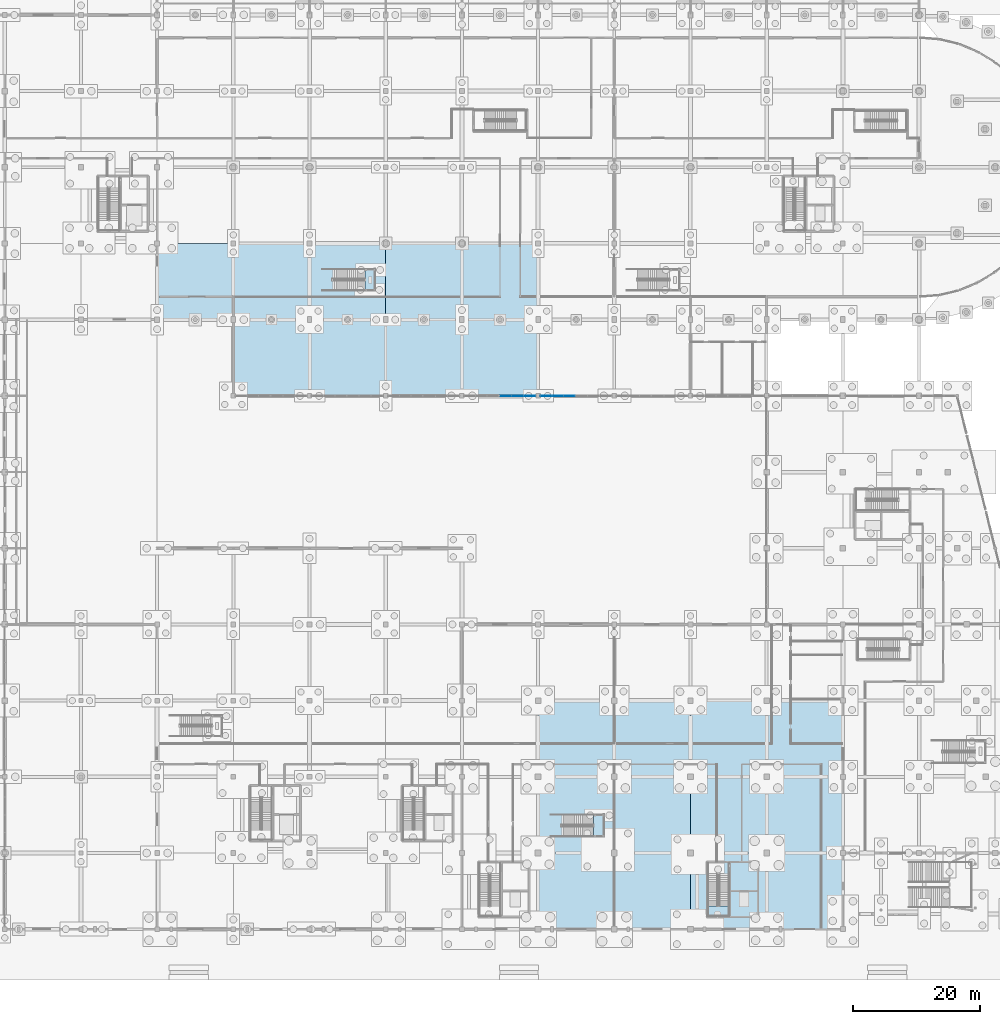
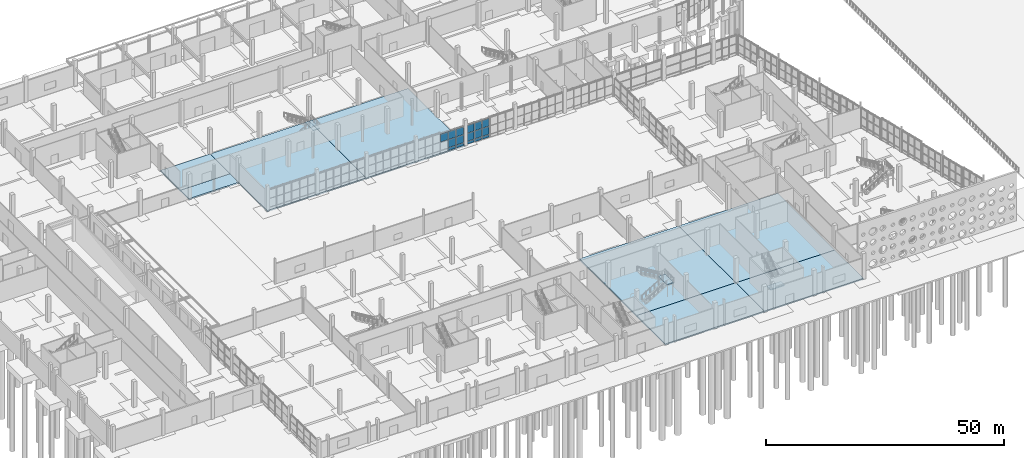
# One storey, part 65 of 117: 16 plates, 11 slabs, 5 elements without a shape of their own.
"""IFC4 building model written with IfcOpenShell, lengths in metres."""

from ifc_helpers import new_model, si_unit, direction, frame, origin, origin_2d, place, context, subcontext, project, spatial, polyline, rectangle, outline, extrude, material, layer, layer_set, type_object, element, aggregate, save


model = new_model("IFC4")

# Units and contexts
model_context = context("Model", 3, precision=1e-05, world=origin(), true_north=direction((0.0, 1.0)))
body_context = subcontext(model_context, "Body", "Model", "MODEL_VIEW")
ifc_project = project(units=[si_unit("LENGTHUNIT", "METRE"), si_unit("AREAUNIT", "SQUARE_METRE"), si_unit("VOLUMEUNIT", "CUBIC_METRE"), si_unit("PLANEANGLEUNIT", "RADIAN"), si_unit("MASSUNIT", "GRAM", prefix="KILO")], contexts=[model_context])

# Site, building, storey
site_placement = place(None, origin())
site = spatial("IfcSite", under=ifc_project, at=site_placement, CompositionType="ELEMENT")
building_placement = place(site_placement, origin())
building = spatial("IfcBuilding", under=site, at=building_placement, Name="Kamomehara Wholesale Market", CompositionType="ELEMENT")
storey_placement = place(building_placement, origin())
storey = spatial("IfcBuildingStorey", under=building, at=storey_placement, Name="L00", CompositionType="ELEMENT", Elevation=0.0)

# Curtain wall, plates
ifc_material_1 = material(Name="Anodised aluminium 6063-T5", Category="aluminium")
curtain_wall_type = type_object("IfcCurtainWallType", Name="CW-UN-03", PredefinedType="NOTDEFINED", material=ifc_material_1)
curtain_wall_1_placement = place(storey_placement, origin())
curtain_wall_1 = element("IfcCurtainWall", 1, at=curtain_wall_1_placement, inside=storey, type_object=curtain_wall_type, Name="Unitised curtain wall CW-021", PredefinedType="NOTDEFINED")
ifc_material_2 = material(Name="Solar-control Low-E double glazing", Category="glass")
ifc_layer_1 = layer(ifc_material_2, 0.028076171875)
ifc_layer_set_1 = layer_set([ifc_layer_1], Name="Solar-control Low-E double glazing")
plate_type_1 = type_object("IfcPlateType", Name="CW-PNL-GLZ", PredefinedType="CURTAIN_PANEL", material=ifc_layer_set_1)
plate_1_placement = place(storey_placement, frame((118.64990234375, 95.97998046875, 0.83056640625), z_axis=(0.0, 0.0, 1.0), x_axis=(-1.0, 0.0, 0.0)))
plate_1 = element("IfcPlate", 2, at=plate_1_placement, type_object=plate_type_1, Name="Curtain panel CW-021.0.1", PredefinedType="CURTAIN_PANEL", context=body_context, shape_type="SweptSolid", body=[
    extrude(rectangle(XDim=1.820068359375, YDim=0.028076171875, at=origin_2d()), origin(), (0.0, 0.0, 1.0), 2.029052734375),
])
plate_2_placement = place(storey_placement, frame((118.64990234375, 95.97998046875, 2.91845703125), z_axis=(0.0, 0.0, 1.0), x_axis=(-1.0, 0.0, 0.0)))
plate_2 = element("IfcPlate", 3, at=plate_2_placement, type_object=plate_type_1, Name="Curtain panel CW-021.0.2", PredefinedType="CURTAIN_PANEL", context=body_context, shape_type="SweptSolid", body=[
    extrude(rectangle(XDim=1.820068359375, YDim=0.028076171875, at=origin_2d()), origin(), (0.0, 0.0, 1.0), 1.989013671875),
])
plate_3_placement = place(storey_placement, frame((116.75, 95.97998046875, 0.83056640625), z_axis=(0.0, 0.0, 1.0), x_axis=(-1.0, 0.0, 0.0)))
plate_3 = element("IfcPlate", 4, at=plate_3_placement, type_object=plate_type_1, Name="Curtain panel CW-021.1.1", PredefinedType="CURTAIN_PANEL", context=body_context, shape_type="SweptSolid", body=[
    extrude(rectangle(XDim=1.820068359375, YDim=0.028076171875, at=origin_2d()), origin(), (0.0, 0.0, 1.0), 2.029052734375),
])
plate_4_placement = place(storey_placement, frame((116.75, 95.97998046875, 2.91845703125), z_axis=(0.0, 0.0, 1.0), x_axis=(-1.0, 0.0, 0.0)))
plate_4 = element("IfcPlate", 5, at=plate_4_placement, type_object=plate_type_1, Name="Curtain panel CW-021.1.2", PredefinedType="CURTAIN_PANEL", context=body_context, shape_type="SweptSolid", body=[
    extrude(rectangle(XDim=1.820068359375, YDim=0.028076171875, at=origin_2d()), origin(), (0.0, 0.0, 1.0), 1.989013671875),
])
plate_5_placement = place(storey_placement, frame((114.85009765625, 95.97998046875, 2.91845703125), z_axis=(0.0, 0.0, 1.0), x_axis=(-1.0, 0.0, 0.0)))
plate_5 = element("IfcPlate", 6, at=plate_5_placement, type_object=plate_type_1, Name="Curtain panel CW-021.2.2", PredefinedType="CURTAIN_PANEL", context=body_context, shape_type="SweptSolid", body=[
    extrude(rectangle(XDim=1.820068359375, YDim=0.028076171875, at=origin_2d()), origin(), (0.0, 0.0, 1.0), 1.989013671875),
])

curtain_wall_2_placement = place(storey_placement, origin())
curtain_wall_2 = element("IfcCurtainWall", 7, at=curtain_wall_2_placement, inside=storey, type_object=curtain_wall_type, Name="Unitised curtain wall CW-024", PredefinedType="NOTDEFINED")
plate_6_placement = place(storey_placement, frame((124.89306640625, 95.97998046875, 0.83056640625), z_axis=(0.0, 0.0, 1.0), x_axis=(-1.0, 0.0, 0.0)))
plate_6 = element("IfcPlate", 8, at=plate_6_placement, type_object=plate_type_1, Name="Curtain panel CW-024.0.1", PredefinedType="CURTAIN_PANEL", context=body_context, shape_type="SweptSolid", body=[
    extrude(rectangle(XDim=1.73291015625, YDim=0.028076171875, at=origin_2d()), origin(), (0.0, 0.0, 1.0), 2.029052734375),
])
plate_7_placement = place(storey_placement, frame((124.89306640625, 95.97998046875, 2.91845703125), z_axis=(0.0, 0.0, 1.0), x_axis=(-1.0, 0.0, 0.0)))
plate_7 = element("IfcPlate", 9, at=plate_7_placement, type_object=plate_type_1, Name="Curtain panel CW-024.0.2", PredefinedType="CURTAIN_PANEL", context=body_context, shape_type="SweptSolid", body=[
    extrude(rectangle(XDim=1.73291015625, YDim=0.028076171875, at=origin_2d()), origin(), (0.0, 0.0, 1.0), 1.989013671875),
])
plate_8_placement = place(storey_placement, frame((123.080078125, 95.97998046875, 0.83056640625), z_axis=(0.0, 0.0, 1.0), x_axis=(-1.0, 0.0, 0.0)))
plate_8 = element("IfcPlate", 10, at=plate_8_placement, type_object=plate_type_1, Name="Curtain panel CW-024.1.1", PredefinedType="CURTAIN_PANEL", context=body_context, shape_type="SweptSolid", body=[
    extrude(rectangle(XDim=1.73291015625, YDim=0.028076171875, at=origin_2d()), origin(), (0.0, 0.0, 1.0), 2.029052734375),
])
plate_9_placement = place(storey_placement, frame((123.080078125, 95.97998046875, 2.91845703125), z_axis=(0.0, 0.0, 1.0), x_axis=(-1.0, 0.0, 0.0)))
plate_9 = element("IfcPlate", 11, at=plate_9_placement, type_object=plate_type_1, Name="Curtain panel CW-024.1.2", PredefinedType="CURTAIN_PANEL", context=body_context, shape_type="SweptSolid", body=[
    extrude(rectangle(XDim=1.73291015625, YDim=0.028076171875, at=origin_2d()), origin(), (0.0, 0.0, 1.0), 1.989013671875),
])
plate_10_placement = place(storey_placement, frame((121.26708984375, 95.97998046875, 0.83056640625), z_axis=(0.0, 0.0, 1.0), x_axis=(-1.0, 0.0, 0.0)))
plate_10 = element("IfcPlate", 12, at=plate_10_placement, type_object=plate_type_1, Name="Curtain panel CW-024.2.1", PredefinedType="CURTAIN_PANEL", context=body_context, shape_type="SweptSolid", body=[
    extrude(rectangle(XDim=1.73291015625, YDim=0.028076171875, at=origin_2d()), origin(), (0.0, 0.0, 1.0), 2.029052734375),
])
plate_11_placement = place(storey_placement, frame((121.26708984375, 95.97998046875, 2.91845703125), z_axis=(0.0, 0.0, 1.0), x_axis=(-1.0, 0.0, 0.0)))
plate_11 = element("IfcPlate", 13, at=plate_11_placement, type_object=plate_type_1, Name="Curtain panel CW-024.2.2", PredefinedType="CURTAIN_PANEL", context=body_context, shape_type="SweptSolid", body=[
    extrude(rectangle(XDim=1.73291015625, YDim=0.028076171875, at=origin_2d()), origin(), (0.0, 0.0, 1.0), 1.989013671875),
])

# Plate
ifc_material_3 = material(Name="Insulated aluminium spandrel panel", Category="aluminium")
ifc_layer_2 = layer(ifc_material_3, 0.0400390625)
ifc_layer_set_2 = layer_set([ifc_layer_2], Name="Insulated aluminium spandrel panel")
plate_type_2 = type_object("IfcPlateType", Name="CW-PNL-SPN", PredefinedType="CURTAIN_PANEL", material=ifc_layer_set_2)
plate_12_placement = place(storey_placement, frame((118.64990234375, 95.97998046875, 0.06982421875), z_axis=(0.0, 0.0, 1.0), x_axis=(-1.0, 0.0, 0.0)))
plate_12 = element("IfcPlate", 14, at=plate_12_placement, type_object=plate_type_2, Name="Curtain panel CW-021.0.0", PredefinedType="CURTAIN_PANEL", context=body_context, shape_type="SweptSolid", body=[
    extrude(rectangle(XDim=1.820068359375, YDim=0.0400390625, at=origin_2d()), origin(), (0.0, 0.0, 1.0), 0.699951171875),
])

plate_13_placement = place(storey_placement, frame((116.75, 95.97998046875, 0.06982421875), z_axis=(0.0, 0.0, 1.0), x_axis=(-1.0, 0.0, 0.0)))
plate_13 = element("IfcPlate", 15, at=plate_13_placement, type_object=plate_type_2, Name="Curtain panel CW-021.1.0", PredefinedType="CURTAIN_PANEL", context=body_context, shape_type="SweptSolid", body=[
    extrude(rectangle(XDim=1.820068359375, YDim=0.0400390625, at=origin_2d()), origin(), (0.0, 0.0, 1.0), 0.699951171875),
])

aggregate(curtain_wall_1, [plate_12, plate_1, plate_2, plate_13, plate_3, plate_4, plate_5])

plate_14_placement = place(storey_placement, frame((124.89306640625, 95.97998046875, 0.06982421875), z_axis=(0.0, 0.0, 1.0), x_axis=(-1.0, 0.0, 0.0)))
plate_14 = element("IfcPlate", 16, at=plate_14_placement, type_object=plate_type_2, Name="Curtain panel CW-024.0.0", PredefinedType="CURTAIN_PANEL", context=body_context, shape_type="SweptSolid", body=[
    extrude(rectangle(XDim=1.73291015625, YDim=0.0400390625, at=origin_2d()), origin(), (0.0, 0.0, 1.0), 0.699951171875),
])

plate_15_placement = place(storey_placement, frame((123.080078125, 95.97998046875, 0.06982421875), z_axis=(0.0, 0.0, 1.0), x_axis=(-1.0, 0.0, 0.0)))
plate_15 = element("IfcPlate", 17, at=plate_15_placement, type_object=plate_type_2, Name="Curtain panel CW-024.1.0", PredefinedType="CURTAIN_PANEL", context=body_context, shape_type="SweptSolid", body=[
    extrude(rectangle(XDim=1.73291015625, YDim=0.0400390625, at=origin_2d()), origin(), (0.0, 0.0, 1.0), 0.699951171875),
])

plate_16_placement = place(storey_placement, frame((121.26708984375, 95.97998046875, 0.06982421875), z_axis=(0.0, 0.0, 1.0), x_axis=(-1.0, 0.0, 0.0)))
plate_16 = element("IfcPlate", 18, at=plate_16_placement, type_object=plate_type_2, Name="Curtain panel CW-024.2.0", PredefinedType="CURTAIN_PANEL", context=body_context, shape_type="SweptSolid", body=[
    extrude(rectangle(XDim=1.73291015625, YDim=0.0400390625, at=origin_2d()), origin(), (0.0, 0.0, 1.0), 0.699951171875),
])

aggregate(curtain_wall_2, [plate_14, plate_6, plate_7, plate_15, plate_8, plate_9, plate_16, plate_10, plate_11])

# Slabs
ifc_material_4 = material(Name="Concrete Fc30 (C30/37)", Category="concrete")
ifc_layer_3 = layer(ifc_material_4, 0.31201171875)
ifc_layer_set_3 = layer_set([ifc_layer_3], Name="Concrete Fc30 (C30/37)")
slab_type_1 = type_object("IfcSlabType", Name="SLB-BASE-300", PredefinedType="BASESLAB", material=ifc_layer_set_3)
slab_1_placement = place(storey_placement, frame((0.0, 0.0, -0.31201171875)))
element("IfcSlab", 19, at=slab_1_placement, inside=storey, type_object=slab_type_1, Name="Floor slab V5 L00 55", PredefinedType="BASESLAB", context=body_context, shape_type="SweptSolid", body=[
    extrude(outline(polyline([(168.0, 24.0), (144.0, 24.0), (144.0, 48.0), (168.0, 48.0), (168.0, 24.0)])), origin(), (0.0, 0.0, 1.0), 0.31201171875),
])
ifc_material_5 = material(Name="Concrete Fc30 (C30/37)", Category="concrete")
ifc_layer_4 = layer(ifc_material_5, 0.324951171875)
ifc_layer_set_4 = layer_set([ifc_layer_4], Name="Concrete Fc30 (C30/37)")
slab_type_2 = type_object("IfcSlabType", Name="SLB-BASE-325", PredefinedType="BASESLAB", material=ifc_layer_set_4)
slab_2_placement = place(storey_placement, frame((0.0, 0.0, -0.324951171875)))
element("IfcSlab", 20, at=slab_2_placement, inside=storey, type_object=slab_type_2, Name="Floor slab V1 L00 9", PredefinedType="BASESLAB", context=body_context, shape_type="SweptSolid", body=[
    extrude(outline(polyline([(72.0, 120.0), (96.0, 120.0), (96.0, 96.0), (72.0, 96.0), (72.0, 111.60009765625), (72.0, 120.0)])), origin(), (0.0, 0.0, 1.0), 0.324951171875),
])
slab_3_placement = place(storey_placement, frame((0.0, 0.0, -0.324951171875)))
element("IfcSlab", 21, at=slab_3_placement, inside=storey, type_object=slab_type_2, Name="Floor slab V5 L00 54", PredefinedType="BASESLAB", context=body_context, shape_type="SweptSolid", body=[
    extrude(outline(polyline([(168.0, 12.0), (144.0, 12.0), (144.0, 24.0), (168.0, 24.0), (168.0, 12.0)])), origin(), (0.0, 0.0, 1.0), 0.324951171875),
])
ifc_material_6 = material(Name="Concrete Fc30 (C30/37)", Category="concrete")
ifc_layer_5 = layer(ifc_material_6, 0.35009765625)
ifc_layer_set_5 = layer_set([ifc_layer_5], Name="Concrete Fc30 (C30/37)")
slab_type_3 = type_object("IfcSlabType", Name="SLB-BASE-350", PredefinedType="BASESLAB", material=ifc_layer_set_5)
slab_4_placement = place(storey_placement, frame((0.0, 0.0, -0.35009765625)))
element("IfcSlab", 22, at=slab_4_placement, inside=storey, type_object=slab_type_3, Name="Floor slab V1 L00 11", PredefinedType="BASESLAB", context=body_context, shape_type="SweptSolid", body=[
    extrude(outline(polyline([(96.0, 120.0), (120.0, 120.0), (120.0, 96.0), (96.0, 96.0), (96.0, 120.0)])), origin(), (0.0, 0.0, 1.0), 0.35009765625),
])
slab_5_placement = place(storey_placement, frame((0.0, 0.0, -0.35009765625)))
element("IfcSlab", 23, at=slab_5_placement, inside=storey, type_object=slab_type_3, Name="Floor slab V5 L00 51", PredefinedType="BASESLAB", context=body_context, shape_type="SweptSolid", body=[
    extrude(outline(polyline([(120.0, 24.0), (144.0, 24.0), (144.0, 12.0), (120.0, 12.0), (120.0, 24.0)])), origin(), (0.0, 0.0, 1.0), 0.35009765625),
])
ifc_material_7 = material(Name="Concrete Fc30 (C30/37)", Category="concrete")
ifc_layer_6 = layer(ifc_material_7, 0.3798828125)
ifc_layer_set_6 = layer_set([ifc_layer_6], Name="Concrete Fc30 (C30/37)")
slab_type_4 = type_object("IfcSlabType", Name="SLB-BASE-380", PredefinedType="BASESLAB", material=ifc_layer_set_6)
slab_6_placement = place(storey_placement, frame((0.0, 0.0, -0.3798828125)))
element("IfcSlab", 24, at=slab_6_placement, inside=storey, type_object=slab_type_4, Name="Floor slab V1 L00 7", PredefinedType="BASESLAB", context=body_context, shape_type="SweptSolid", body=[
    extrude(outline(polyline([(72.0, 120.0), (72.0, 111.60009765625), (60.0, 111.60009765625), (60.0, 120.0), (72.0, 120.0)])), origin(), (0.0, 0.0, 1.0), 0.3798828125),
])
slab_7_placement = place(storey_placement, frame((0.0, 0.0, -0.3798828125)))
element("IfcSlab", 25, at=slab_7_placement, inside=storey, type_object=slab_type_4, Name="Floor slab V5 L00 52", PredefinedType="BASESLAB", context=body_context, shape_type="SweptSolid", body=[
    extrude(outline(polyline([(120.0, 24.0), (120.0, 48.0), (144.0, 48.0), (144.0, 24.0), (120.0, 24.0)])), origin(), (0.0, 0.0, 1.0), 0.3798828125),
])
ifc_material_8 = material(Name="Concrete Fc30 (C30/37)", Category="concrete")
ifc_layer_7 = layer(ifc_material_8, 0.344970703125)
ifc_layer_set_7 = layer_set([ifc_layer_7], Name="Concrete Fc30 (C30/37)")
slab_type_5 = type_object("IfcSlabType", Name="SLB-EXT-250", PredefinedType="FLOOR", material=ifc_layer_set_7)
slab_8_placement = place(storey_placement, frame((0.0, 0.0, -0.344970703125)))
element("IfcSlab", 26, at=slab_8_placement, inside=storey, type_object=slab_type_5, Name="External slab OSLB-L00-ARC-SW", PredefinedType="FLOOR", context=body_context, shape_type="SweptSolid", body=[
    extrude(outline(polyline([(60.0, 108.0), (72.0, 108.0), (72.0, 111.60009765625), (60.0, 111.60009765625), (60.0, 108.0)])), origin(), (0.0, 0.0, 1.0), 0.344970703125),
])

# Stair, slab
ifc_material_9 = material(Name="Concrete Fc36 (C35/45)", Category="concrete")
stair_type_1 = type_object("IfcStairType", Name="STR-DL-02", PredefinedType="HALF_TURN_STAIR", material=ifc_material_9)
stair_1_placement = place(storey_placement, origin())
stair_1 = element("IfcStair", 27, at=stair_1_placement, inside=storey, type_object=stair_type_1, Name="L00 Core exit stair ST-08", PredefinedType="HALF_TURN_STAIR")
ifc_material_10 = material(Name="Concrete Fc36 (C35/45)", Category="concrete")
ifc_layer_8 = layer(ifc_material_10, 0.199951171875)
ifc_layer_set_8 = layer_set([ifc_layer_8], Name="Concrete Fc36 (C35/45)")
slab_type_6 = type_object("IfcSlabType", Name="SLB-LND-200", PredefinedType="LANDING", material=ifc_layer_set_8)
slab_9_placement = place(storey_placement, frame((0.0, 0.0, 3.10009765625)))
slab_9 = element("IfcSlab", 28, at=slab_9_placement, type_object=slab_type_6, Name="ST-08 landing 1", PredefinedType="LANDING", context=body_context, shape_type="SweptSolid", body=[
    extrude(outline(polyline([(146.699951171875, 15.64990234375), (146.699951171875, 14.050048828125), (150.10009765625, 14.050048828125), (150.10009765625, 15.64990234375), (146.699951171875, 15.64990234375)])), origin(), (0.0, 0.0, 1.0), 0.199951171875),
])
aggregate(stair_1, [slab_9])

ifc_material_11 = material(Name="Concrete Fc36 (C35/45)", Category="concrete")
stair_type_2 = type_object("IfcStairType", Name="STR-DL-06", PredefinedType="HALF_TURN_STAIR", material=ifc_material_11)
stair_2_placement = place(storey_placement, origin())
stair_2 = element("IfcStair", 29, at=stair_2_placement, inside=storey, type_object=stair_type_2, Name="L00 Exit stair ST-11", PredefinedType="HALF_TURN_STAIR")
slab_10_placement = place(storey_placement, frame((0.0, 0.0, 3.10009765625)))
slab_10 = element("IfcSlab", 30, at=slab_10_placement, type_object=slab_type_6, Name="ST-11 landing 1", PredefinedType="LANDING", context=body_context, shape_type="SweptSolid", body=[
    extrude(outline(polyline([(92.719970703125, 112.550048828125), (94.340087890625, 112.550048828125), (94.340087890625, 115.989990234375), (92.719970703125, 115.989990234375), (92.719970703125, 112.550048828125)])), origin(), (0.0, 0.0, 1.0), 0.199951171875),
])
aggregate(stair_2, [slab_10])

ifc_material_12 = material(Name="Concrete Fc36 (C35/45)", Category="concrete")
stair_type_3 = type_object("IfcStairType", Name="STR-DL-07", PredefinedType="HALF_TURN_STAIR", material=ifc_material_12)
stair_3_placement = place(storey_placement, origin())
stair_3 = element("IfcStair", 31, at=stair_3_placement, inside=storey, type_object=stair_type_3, Name="L00 Exit stair ST-17", PredefinedType="HALF_TURN_STAIR")
slab_11_placement = place(storey_placement, frame((0.0, 0.0, 3.10009765625)))
slab_11 = element("IfcSlab", 32, at=slab_11_placement, type_object=slab_type_6, Name="ST-17 landing 1", PredefinedType="LANDING", context=body_context, shape_type="SweptSolid", body=[
    extrude(outline(polyline([(128.764892578125, 26.550048828125), (130.429931640625, 26.550048828125), (130.429931640625, 30.080078125), (128.764892578125, 30.080078125), (128.764892578125, 26.550048828125)])), origin(), (0.0, 0.0, 1.0), 0.199951171875),
])
aggregate(stair_3, [slab_11])

save(model, "model.ifc")
